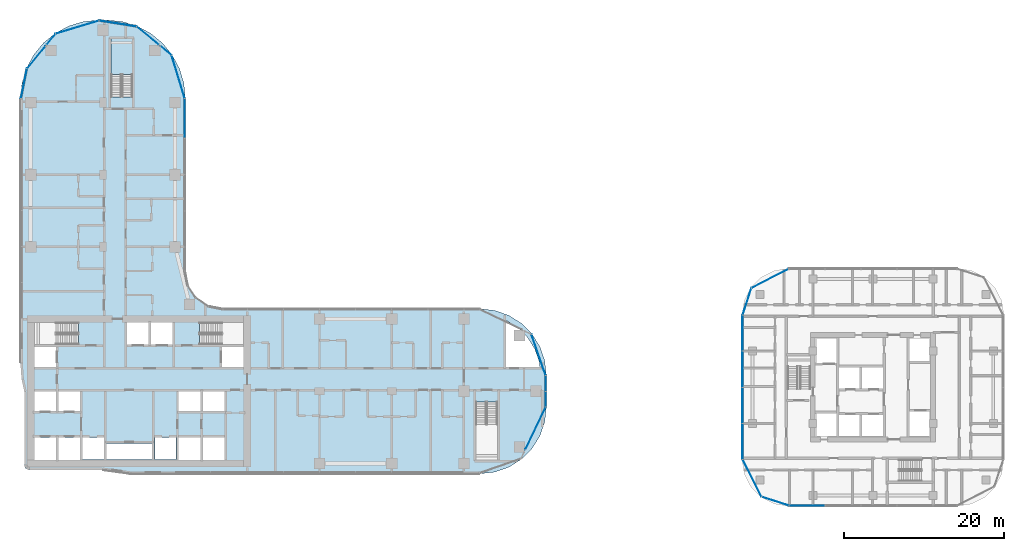
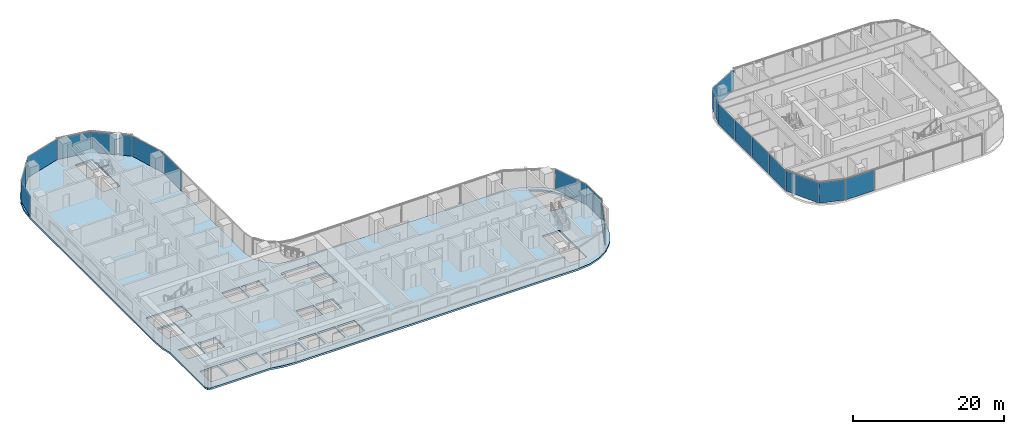
# One storey, part 16 of 36: 22 plates, 2 slabs, 12 elements without a shape of their own.
"""IFC4 building model written with IfcOpenShell, lengths in metres."""

import ifcopenshell
import ifcopenshell.guid

model = None  # the IFC model being written
_history = None  # IfcOwnerHistory: only IFC2X3 demands one
_inside = {}  # id of a spatial element -> (the spatial element, [elements in it])
_under = {}  # id of a project, library or spatial element -> (it, [spatial elements below it])
_declared = {}  # id of a project -> (the project, [libraries it declares])
_typed = {}  # id of a type object -> (the type object, [elements of that type])
_made_of = {}  # id of a material, layer set ... -> (it, [elements and type objects made of it])


def new_model(schema):
    """Start an empty IFC model of exactly this schema.

    Asked for "IFC4X3", IfcOpenShell would pick the latest addendum, in which some entities
    have other attributes; the version numbers below select the first issue.
    IFC2X3 requires an IfcOwnerHistory on every rooted entity: one is made here for all.
    """
    global model, _history
    if schema == "IFC4X3":
        model = ifcopenshell.file(schema_version=(4, 3, 0, 0))
    else:
        model = ifcopenshell.file(schema=schema)
    _inside.clear()
    _under.clear()
    _declared.clear()
    _typed.clear()
    _made_of.clear()
    _history = None
    if model.schema == "IFC2X3":
        org = make("IfcOrganization", Name="unknown")
        user = make(
            "IfcPersonAndOrganization",
            ThePerson=make("IfcPerson", FamilyName="unknown"),
            TheOrganization=org,
        )
        app = make(
            "IfcApplication",
            ApplicationDeveloper=org,
            Version="unknown",
            ApplicationFullName="unknown",
            ApplicationIdentifier="unknown",
        )
        _history = make(
            "IfcOwnerHistory",
            OwningUser=user,
            OwningApplication=app,
            ChangeAction="ADDED",
            CreationDate=0,
        )
    return model


def make(cls, **values):
    """One entity of the class cls with the attributes given. An attribute that is None is left unset."""
    return model.create_entity(
        cls, **{name: value for name, value in values.items() if value is not None}
    )


def rooted(cls, **values):
    """An entity with a GlobalId (a new one), such as an element, a storey or a relation."""
    return make(cls, GlobalId=ifcopenshell.guid.new(), OwnerHistory=_history, **values)


def si_unit(unit_type, name, prefix=None):
    """IfcSIUnit, for example si_unit("LENGTHUNIT", "METRE", prefix="MILLI")."""
    return make("IfcSIUnit", UnitType=unit_type, Prefix=prefix, Name=name)


def assignment(units):
    """IfcUnitAssignment: the units of a project."""
    return None if units is None else make("IfcUnitAssignment", Units=units)


def point(xyz):
    """IfcCartesianPoint."""
    return None if xyz is None else make("IfcCartesianPoint", Coordinates=xyz)


def direction(xyz):
    """IfcDirection."""
    return None if xyz is None else make("IfcDirection", DirectionRatios=xyz)


def frame(location, z_axis=None, x_axis=None):
    """IfcAxis2Placement3D, a coordinate frame: its origin and axes. An axis left out is left unset."""
    return make(
        "IfcAxis2Placement3D",
        Location=point(location),
        Axis=direction(z_axis),
        RefDirection=direction(x_axis),
    )


def frame_2d(location, x_axis=None):
    """IfcAxis2Placement2D, a coordinate frame in the plane: its origin and x axis."""
    return make(
        "IfcAxis2Placement2D", Location=point(location), RefDirection=direction(x_axis)
    )


def origin():
    """The frame at (0, 0, 0) with its axes left unset."""
    return frame((0.0, 0.0, 0.0))


def origin_2d():
    """The frame at (0, 0) in the plane with its x axis left unset."""
    return frame_2d((0.0, 0.0))


def place(relative_to, where):
    """IfcLocalPlacement: puts the frame where relative to a parent placement (None: the world)."""
    return make(
        "IfcLocalPlacement", PlacementRelTo=relative_to, RelativePlacement=where
    )


def context(
    kind, dimensions, precision=None, world=None, true_north=None, identifier=None
):
    """IfcGeometricRepresentationContext, for example the 3D "Model" context."""
    return make(
        "IfcGeometricRepresentationContext",
        ContextIdentifier=identifier,
        ContextType=kind,
        CoordinateSpaceDimension=dimensions,
        Precision=precision,
        WorldCoordinateSystem=world,
        TrueNorth=true_north,
    )


def subcontext(parent, identifier, kind, view, scale=None):
    """IfcGeometricRepresentationSubContext, for example "Body" below "Model"."""
    return make(
        "IfcGeometricRepresentationSubContext",
        ContextIdentifier=identifier,
        ContextType=kind,
        ParentContext=parent,
        TargetScale=scale,
        TargetView=view,
    )


def project(units=None, contexts=None):
    """IfcProject with its units and contexts."""
    return rooted(
        "IfcProject",
        Name="project",
        RepresentationContexts=contexts,
        UnitsInContext=assignment(units),
    )


def spatial(cls, under=None, at=None, **own):
    """A site, building, storey or space (cls), placed at a placement, below another one or the project."""
    s = rooted(cls, ObjectPlacement=at, **own)
    if under is not None:
        _under.setdefault(under.id(), (under, []))[1].append(s)
    return s


def polyline(points):
    """IfcPolyline through the points."""
    return make("IfcPolyline", Points=[point(p) for p in points])


def profile(cls, at=None, kind="AREA", **sizes):
    """A parametric profile (cls). Its sizes go by their IFC names, for example OverallWidth=200.0."""
    return make(cls, ProfileType=kind, Position=at, **sizes)


def rectangle(**sizes):
    """IfcRectangleProfileDef."""
    return profile("IfcRectangleProfileDef", **sizes)


def outline(outer, holes=None, kind="AREA"):
    """IfcArbitraryClosedProfileDef: a profile drawn as a closed curve; with holes, ...WithVoids."""
    if holes is None:
        return make("IfcArbitraryClosedProfileDef", ProfileType=kind, OuterCurve=outer)
    return make(
        "IfcArbitraryProfileDefWithVoids",
        ProfileType=kind,
        OuterCurve=outer,
        InnerCurves=holes,
    )


def extrude(swept, where, along, depth):
    """IfcExtrudedAreaSolid: the profile swept, set in the frame where, extruded along a direction by depth."""
    return make(
        "IfcExtrudedAreaSolid",
        SweptArea=swept,
        Position=where,
        ExtrudedDirection=direction(along),
        Depth=depth,
    )


def shape(context_of_items, identifier, shape_type, items):
    """IfcShapeRepresentation: the items that make up one representation, for example the "Body"."""
    return make(
        "IfcShapeRepresentation",
        ContextOfItems=context_of_items,
        RepresentationIdentifier=identifier,
        RepresentationType=shape_type,
        Items=items,
    )


def material(Name=None, Category=None):
    """IfcMaterial."""
    return make("IfcMaterial", Name=Name, Category=Category)


def layer(
    of_material, thickness, ventilated=None, Name=None, Category=None, Priority=None
):
    """IfcMaterialLayer: one layer of a wall or slab, of a material (None: an air gap)."""
    return make(
        "IfcMaterialLayer",
        Material=of_material,
        LayerThickness=thickness,
        IsVentilated=ventilated,
        Name=Name,
        Category=Category,
        Priority=Priority,
    )


def layer_set(layers, Name=None):
    """IfcMaterialLayerSet."""
    return make("IfcMaterialLayerSet", MaterialLayers=layers, LayerSetName=Name)


def made_of(thing, what):
    """Note that an element or type object is made of a material, layer set ...; save() writes the relation."""
    if what is not None:
        _made_of.setdefault(what.id(), (what, []))[1].append(thing)
    return thing


def type_object(cls, material=None, **own):
    """A type object (cls), such as IfcWallType, which elements share."""
    return made_of(rooted(cls, **own), material)


def element(
    cls,
    number,
    at=None,
    inside=None,
    cuts=None,
    type_object=None,
    material=None,
    context=None,
    identifier="Body",
    shape_type=None,
    held_by="IfcProductDefinitionShape",
    body=None,
    shapes=None,
    **own,
):
    """One element of the class cls, such as IfcWall. Its Tag is "e" and its number.

    at: its placement. inside: the storey or other place that contains it. cuts: it is an
    opening in that element (IfcRelVoidsElement). A single representation is given by context,
    identifier, shape_type and body (its items); several are given by shapes. held_by: the class
    of the entity that holds the representations. save() writes the other relations.
    """
    e = rooted(cls, Tag="e%d" % number, ObjectPlacement=at, **own)
    if body is not None:
        shapes = [shape(context, identifier, shape_type, body)]
    if shapes is not None:
        e.Representation = make(held_by, Representations=shapes)
    if inside is not None:
        _inside.setdefault(inside.id(), (inside, []))[1].append(e)
    if cuts is not None:
        rooted(
            "IfcRelVoidsElement", RelatingBuildingElement=cuts, RelatedOpeningElement=e
        )
    if type_object is not None:
        _typed.setdefault(type_object.id(), (type_object, []))[1].append(e)
    return made_of(e, material)


def aggregate(whole, parts):
    """IfcRelAggregates: a whole, such as a stair, and the parts it consists of."""
    return rooted("IfcRelAggregates", RelatingObject=whole, RelatedObjects=parts)


def save(model, path):
    """Write the relations noted so far, then the file.

    IfcRelAggregates (storeys below a building ...), IfcRelContainedInSpatialStructure (elements
    in a storey), IfcRelDefinesByType, IfcRelAssociatesMaterial and IfcRelDeclares: one each for
    every whole, place, type object, material and project.
    """
    for whole, parts in _under.values():
        aggregate(whole, parts)
    for where, things in _inside.values():
        rooted(
            "IfcRelContainedInSpatialStructure",
            RelatedElements=things,
            RelatingStructure=where,
        )
    for kind, things in _typed.values():
        rooted("IfcRelDefinesByType", RelatedObjects=things, RelatingType=kind)
    for what, things in _made_of.values():
        rooted("IfcRelAssociatesMaterial", RelatedObjects=things, RelatingMaterial=what)
    for by, libraries in _declared.values():
        rooted("IfcRelDeclares", RelatingContext=by, RelatedDefinitions=libraries)
    model.write(path)


model = new_model("IFC4")

# Units and contexts
model_context = context("Model", 3, precision=1e-05, world=origin(), true_north=direction((0.0, 1.0)))
body_context = subcontext(model_context, "Body", "Model", "MODEL_VIEW")
ifc_project = project(units=[si_unit("LENGTHUNIT", "METRE"), si_unit("AREAUNIT", "SQUARE_METRE"), si_unit("VOLUMEUNIT", "CUBIC_METRE"), si_unit("PLANEANGLEUNIT", "RADIAN"), si_unit("MASSUNIT", "GRAM", prefix="KILO")], contexts=[model_context])

# Site, building, storey
site_placement = place(None, origin())
site = spatial("IfcSite", under=ifc_project, at=site_placement, CompositionType="ELEMENT")
building_placement = place(site_placement, origin())
building = spatial("IfcBuilding", under=site, at=building_placement, Name="Ogive Portal Towers", CompositionType="ELEMENT")
storey_placement = place(building_placement, frame((0.0, 0.0, 48.300048828125)))
storey = spatial("IfcBuildingStorey", under=building, at=storey_placement, Name="L10", CompositionType="ELEMENT", Elevation=48.300048828125)

# Curtain wall, plates
ifc_material_1 = material(Name="Glass, clear low-iron insulated glazing", Category="glass")
curtain_wall_type_1 = type_object("IfcCurtainWallType", Name="CW FRONT RIBBON 4500", PredefinedType="NOTDEFINED", material=ifc_material_1)
curtain_wall_1_placement = place(storey_placement, origin())
curtain_wall_1 = element("IfcCurtainWall", 1, at=curtain_wall_1_placement, inside=storey, type_object=curtain_wall_type_1, Name="A:L10:f08:cw0", PredefinedType="NOTDEFINED")
ifc_layer_1 = layer(ifc_material_1, 0.028076171875)
ifc_layer_set_1 = layer_set([ifc_layer_1], Name="CW PANEL IGU 28")
plate_type = type_object("IfcPlateType", Name="CW PANEL IGU 28", PredefinedType="CURTAIN_PANEL", material=ifc_layer_set_1)
plate_1_placement = place(storey_placement, frame((95.705078125, 29.509033203125, 0.0), z_axis=(0.0, 0.0, 1.0), x_axis=(0.0, 1.0, 0.0)))
plate_1 = element("IfcPlate", 2, at=plate_1_placement, type_object=plate_type, Name="panel", PredefinedType="CURTAIN_PANEL", context=body_context, shape_type="SweptSolid", body=[
    extrude(rectangle(XDim=1.921630859375, YDim=0.028076171875, at=origin_2d()), origin(), (0.0, 0.0, 1.0), 3.340087890625),
])
plate_2_placement = place(storey_placement, frame((95.705078125, 31.4931640625, 0.0), z_axis=(0.0, 0.0, 1.0), x_axis=(0.0, 1.0, 0.0)))
plate_2 = element("IfcPlate", 3, at=plate_2_placement, type_object=plate_type, Name="panel", PredefinedType="CURTAIN_PANEL", context=body_context, shape_type="SweptSolid", body=[
    extrude(rectangle(XDim=1.926513671875, YDim=0.028076171875, at=origin_2d()), origin(), (0.0, 0.0, 1.0), 3.340087890625),
])
aggregate(curtain_wall_1, [plate_1, plate_2])

# Curtain wall, plate
curtain_wall_2_placement = place(storey_placement, origin())
curtain_wall_2 = element("IfcCurtainWall", 4, at=curtain_wall_2_placement, inside=storey, type_object=curtain_wall_type_1, Name="A:L10:f16:cw0", PredefinedType="NOTDEFINED")
plate_3_placement = place(storey_placement, frame((50.705078125, 64.494140625, 0.0), z_axis=(0.0, 0.0, 1.0), x_axis=(0.0, 1.0, 0.0)))
plate_3 = element("IfcPlate", 5, at=plate_3_placement, type_object=plate_type, Name="panel", PredefinedType="CURTAIN_PANEL", context=body_context, shape_type="SweptSolid", body=[
    extrude(rectangle(XDim=4.92822265625, YDim=0.028076171875, at=origin_2d()), origin(), (0.0, 0.0, 1.0), 3.340087890625),
])
aggregate(curtain_wall_2, [plate_3])

curtain_wall_3_placement = place(storey_placement, origin())
curtain_wall_3 = element("IfcCurtainWall", 6, at=curtain_wall_3_placement, inside=storey, type_object=curtain_wall_type_1, Name="A:L10:f06:cwa~1", PredefinedType="NOTDEFINED")
plate_4_placement = place(storey_placement, frame((94.427490234375, 25.865478515625, 0.0), z_axis=(0.0, 0.0, 1.0), x_axis=(0.433883739113, 0.900968867905, 0.0)))
plate_4 = element("IfcPlate", 7, at=plate_4_placement, type_object=plate_type, Name="panel", PredefinedType="CURTAIN_PANEL", context=body_context, shape_type="SweptSolid", body=[
    extrude(rectangle(XDim=5.82861328125, YDim=0.028076171875, at=origin_2d()), origin(), (0.0, 0.0, 1.0), 3.340087890625),
])
aggregate(curtain_wall_3, [plate_4])

curtain_wall_4_placement = place(storey_placement, origin())
curtain_wall_4 = element("IfcCurtainWall", 8, at=curtain_wall_4_placement, inside=storey, type_object=curtain_wall_type_1, Name="A:L10:f09:cwa~0", PredefinedType="NOTDEFINED")
plate_5_placement = place(storey_placement, frame((94.808837890625, 35.047119140625, 0.0), z_axis=(0.0, 0.0, 1.0), x_axis=(-0.33027906196, 0.943883330307, 0.0)))
plate_5 = element("IfcPlate", 9, at=plate_5_placement, type_object=plate_type, Name="panel", PredefinedType="CURTAIN_PANEL", context=body_context, shape_type="SweptSolid", body=[
    extrude(rectangle(XDim=5.365966796875, YDim=0.028076171875, at=origin_2d()), origin(), (0.0, 0.0, 1.0), 3.340087890625),
])
aggregate(curtain_wall_4, [plate_5])

# Curtain wall, plates
curtain_wall_5_placement = place(storey_placement, origin())
curtain_wall_5 = element("IfcCurtainWall", 10, at=curtain_wall_5_placement, inside=storey, type_object=curtain_wall_type_1, Name="A:L10:f17:cwa~0", PredefinedType="NOTDEFINED")
plate_6_placement = place(storey_placement, frame((49.8857421875, 69.68896484375, 0.0), z_axis=(0.0, 0.0, 1.0), x_axis=(-0.290284677254, 0.956940335732, 0.0)))
plate_6 = element("IfcPlate", 11, at=plate_6_placement, type_object=plate_type, Name="panel", PredefinedType="CURTAIN_PANEL", context=body_context, shape_type="SweptSolid", body=[
    extrude(rectangle(XDim=5.584716796875, YDim=0.028076171875, at=origin_2d()), origin(), (0.0, 0.0, 1.0), 3.340087890625),
])
plate_7_placement = place(storey_placement, frame((48.36962890625, 72.961669921875, 0.0), z_axis=(0.0, 0.0, 1.0), x_axis=(-0.773010453363, 0.634393284164, 0.0)))
plate_7 = element("IfcPlate", 12, at=plate_7_placement, type_object=plate_type, Name="panel", PredefinedType="CURTAIN_PANEL", context=body_context, shape_type="SweptSolid", body=[
    extrude(rectangle(XDim=1.74267578125, YDim=0.028076171875, at=origin_2d()), origin(), (0.0, 0.0, 1.0), 3.340087890625),
])
aggregate(curtain_wall_5, [plate_6, plate_7])

curtain_wall_6_placement = place(storey_placement, origin())
curtain_wall_6 = element("IfcCurtainWall", 13, at=curtain_wall_6_placement, inside=storey, type_object=curtain_wall_type_1, Name="A:L10:f17:cwa~1", PredefinedType="NOTDEFINED")
plate_8_placement = place(storey_placement, frame((46.106689453125, 74.81884765625, 0.0), z_axis=(0.0, 0.0, 1.0), x_axis=(-0.773010453363, 0.634393284164, 0.0)))
plate_8 = element("IfcPlate", 14, at=plate_8_placement, type_object=plate_type, Name="panel", PredefinedType="CURTAIN_PANEL", context=body_context, shape_type="SweptSolid", body=[
    extrude(rectangle(XDim=3.552001953125, YDim=0.028076171875, at=origin_2d()), origin(), (0.0, 0.0, 1.0), 3.340087890625),
])
plate_9_placement = place(storey_placement, frame((42.358154296875, 76.333740234375, 0.0), z_axis=(0.0, 0.0, 1.0), x_axis=(-0.987900568675, 0.15508857602, 0.0)))
plate_9 = element("IfcPlate", 15, at=plate_9_placement, type_object=plate_type, Name="panel", PredefinedType="CURTAIN_PANEL", context=body_context, shape_type="SweptSolid", body=[
    extrude(rectangle(XDim=4.70263671875, YDim=0.028076171875, at=origin_2d()), origin(), (0.0, 0.0, 1.0), 3.340087890625),
])
plate_10_placement = place(storey_placement, frame((37.307861328125, 75.884765625, 0.0), z_axis=(0.0, 0.0, 1.0), x_axis=(-0.956940335732, -0.290284677254, 0.0)))
plate_10 = element("IfcPlate", 16, at=plate_10_placement, type_object=plate_type, Name="panel", PredefinedType="CURTAIN_PANEL", context=body_context, shape_type="SweptSolid", body=[
    extrude(rectangle(XDim=5.578369140625, YDim=0.028076171875, at=origin_2d()), origin(), (0.0, 0.0, 1.0), 3.340087890625),
])
plate_11_placement = place(storey_placement, frame((34.038330078125, 74.36962890625, 0.0), z_axis=(0.0, 0.0, 1.0), x_axis=(-0.634393284164, -0.773010453363, 0.0)))
plate_11 = element("IfcPlate", 17, at=plate_11_placement, type_object=plate_type, Name="panel", PredefinedType="CURTAIN_PANEL", context=body_context, shape_type="SweptSolid", body=[
    extrude(rectangle(XDim=1.74267578125, YDim=0.028076171875, at=origin_2d()), origin(), (0.0, 0.0, 1.0), 3.340087890625),
])
aggregate(curtain_wall_6, [plate_8, plate_9, plate_10, plate_11])

curtain_wall_7_placement = place(storey_placement, origin())
curtain_wall_7 = element("IfcCurtainWall", 18, at=curtain_wall_7_placement, inside=storey, type_object=curtain_wall_type_1, Name="A:L10:f17:cwa~2", PredefinedType="NOTDEFINED")
plate_12_placement = place(storey_placement, frame((32.1806640625, 72.10595703125, 0.0), z_axis=(0.0, 0.0, 1.0), x_axis=(-0.634393284164, -0.773010453363, 0.0)))
plate_12 = element("IfcPlate", 19, at=plate_12_placement, type_object=plate_type, Name="panel", PredefinedType="CURTAIN_PANEL", context=body_context, shape_type="SweptSolid", body=[
    extrude(rectangle(XDim=3.553955078125, YDim=0.028076171875, at=origin_2d()), origin(), (0.0, 0.0, 1.0), 3.340087890625),
])
plate_13_placement = place(storey_placement, frame((30.664794921875, 68.850830078125, 0.0), z_axis=(0.0, 0.0, 1.0), x_axis=(-0.195090322016, -0.980785280403, 0.0)))
plate_13 = element("IfcPlate", 20, at=plate_13_placement, type_object=plate_type, Name="panel", PredefinedType="CURTAIN_PANEL", context=body_context, shape_type="SweptSolid", body=[
    extrude(rectangle(XDim=3.72998046875, YDim=0.028076171875, at=origin_2d()), origin(), (0.0, 0.0, 1.0), 3.340087890625),
])
aggregate(curtain_wall_7, [plate_12, plate_13])

# Curtain wall, plate
curtain_wall_type_2 = type_object("IfcCurtainWallType", Name="CW RESIDENCES RIBBON", PredefinedType="NOTDEFINED", material=ifc_material_1)
curtain_wall_8_placement = place(storey_placement, origin())
curtain_wall_8 = element("IfcCurtainWall", 21, at=curtain_wall_8_placement, inside=storey, type_object=curtain_wall_type_2, Name="B:L10:f02:cw0", PredefinedType="NOTDEFINED")
plate_14_placement = place(storey_placement, frame((128.25634765625, 16.2451171875, 0.0), z_axis=(0.0, 0.0, 1.0), x_axis=(1.0, 0.0, 0.0)))
plate_14 = element("IfcPlate", 22, at=plate_14_placement, type_object=plate_type, Name="panel", PredefinedType="CURTAIN_PANEL", context=body_context, shape_type="SweptSolid", body=[
    extrude(rectangle(XDim=4.42724609375, YDim=0.028076171875, at=origin_2d()), origin(), (0.0, 0.0, 1.0), 3.340087890625),
])
aggregate(curtain_wall_8, [plate_14])

# Curtain wall, plates
curtain_wall_9_placement = place(storey_placement, origin())
curtain_wall_9 = element("IfcCurtainWall", 23, at=curtain_wall_9_placement, inside=storey, type_object=curtain_wall_type_2, Name="B:L10:f11:cw0", PredefinedType="NOTDEFINED")
plate_15_placement = place(storey_placement, frame((120.2451171875, 37.74365234375, 0.0), z_axis=(0.0, 0.0, 1.0), x_axis=(0.0, -1.0, 0.0)))
plate_15 = element("IfcPlate", 24, at=plate_15_placement, type_object=plate_type, Name="panel", PredefinedType="CURTAIN_PANEL", context=body_context, shape_type="SweptSolid", body=[
    extrude(rectangle(XDim=4.42724609375, YDim=0.028076171875, at=origin_2d()), origin(), (0.0, 0.0, 1.0), 3.340087890625),
])
plate_16_placement = place(storey_placement, frame((120.2451171875, 33.25, 0.0), z_axis=(0.0, 0.0, 1.0), x_axis=(0.0, -1.0, 0.0)))
plate_16 = element("IfcPlate", 25, at=plate_16_placement, type_object=plate_type, Name="panel", PredefinedType="CURTAIN_PANEL", context=body_context, shape_type="SweptSolid", body=[
    extrude(rectangle(XDim=4.43994140625, YDim=0.028076171875, at=origin_2d()), origin(), (0.0, 0.0, 1.0), 3.340087890625),
])
plate_17_placement = place(storey_placement, frame((120.2451171875, 28.75, 0.0), z_axis=(0.0, 0.0, 1.0), x_axis=(0.0, -1.0, 0.0)))
plate_17 = element("IfcPlate", 26, at=plate_17_placement, type_object=plate_type, Name="panel", PredefinedType="CURTAIN_PANEL", context=body_context, shape_type="SweptSolid", body=[
    extrude(rectangle(XDim=4.43994140625, YDim=0.028076171875, at=origin_2d()), origin(), (0.0, 0.0, 1.0), 3.340087890625),
])
plate_18_placement = place(storey_placement, frame((120.2451171875, 24.259521484375, 0.0), z_axis=(0.0, 0.0, 1.0), x_axis=(0.0, -1.0, 0.0)))
plate_18 = element("IfcPlate", 27, at=plate_18_placement, type_object=plate_type, Name="panel", PredefinedType="CURTAIN_PANEL", context=body_context, shape_type="SweptSolid", body=[
    extrude(rectangle(XDim=4.4208984375, YDim=0.028076171875, at=origin_2d()), origin(), (0.0, 0.0, 1.0), 3.340087890625),
])
aggregate(curtain_wall_9, [plate_15, plate_16, plate_17, plate_18])

curtain_wall_10_placement = place(storey_placement, origin())
curtain_wall_10 = element("IfcCurtainWall", 28, at=curtain_wall_10_placement, inside=storey, type_object=curtain_wall_type_2, Name="B:L10:f00:cwa", PredefinedType="NOTDEFINED")
plate_19_placement = place(storey_placement, frame((121.435791015625, 19.68212890625, 0.0), z_axis=(0.0, 0.0, 1.0), x_axis=(0.45399049974, -0.891006524188, 0.0)))
plate_19 = element("IfcPlate", 29, at=plate_19_placement, type_object=plate_type, Name="panel", PredefinedType="CURTAIN_PANEL", context=body_context, shape_type="SweptSolid", body=[
    extrude(rectangle(XDim=5.185791015625, YDim=0.028076171875, at=origin_2d()), origin(), (0.0, 0.0, 1.0), 3.340087890625),
])
plate_20_placement = place(storey_placement, frame((124.319580078125, 16.795166015625, 0.0), z_axis=(0.0, 0.0, 1.0), x_axis=(0.951056516295, -0.309016994375, 0.0)))
plate_20 = element("IfcPlate", 30, at=plate_20_placement, type_object=plate_type, Name="panel", PredefinedType="CURTAIN_PANEL", context=body_context, shape_type="SweptSolid", body=[
    extrude(rectangle(XDim=3.50048828125, YDim=0.028076171875, at=origin_2d()), origin(), (0.0, 0.0, 1.0), 3.340087890625),
])
aggregate(curtain_wall_10, [plate_19, plate_20])

curtain_wall_11_placement = place(storey_placement, origin())
curtain_wall_11 = element("IfcCurtainWall", 31, at=curtain_wall_11_placement, inside=storey, type_object=curtain_wall_type_2, Name="B:L10:f09:cwa", PredefinedType="NOTDEFINED")
plate_21_placement = place(storey_placement, frame((123.68212890625, 44.564208984375, 0.0), z_axis=(0.0, 0.0, 1.0), x_axis=(-0.891006524188, -0.45399049974, 0.0)))
plate_21 = element("IfcPlate", 32, at=plate_21_placement, type_object=plate_type, Name="panel", PredefinedType="CURTAIN_PANEL", context=body_context, shape_type="SweptSolid", body=[
    extrude(rectangle(XDim=5.185791015625, YDim=0.028076171875, at=origin_2d()), origin(), (0.0, 0.0, 1.0), 3.340087890625),
])
plate_22_placement = place(storey_placement, frame((120.795166015625, 41.680419921875, 0.0), z_axis=(0.0, 0.0, 1.0), x_axis=(-0.309016994375, -0.951056516295, 0.0)))
plate_22 = element("IfcPlate", 33, at=plate_22_placement, type_object=plate_type, Name="panel", PredefinedType="CURTAIN_PANEL", context=body_context, shape_type="SweptSolid", body=[
    extrude(rectangle(XDim=3.50048828125, YDim=0.028076171875, at=origin_2d()), origin(), (0.0, 0.0, 1.0), 3.340087890625),
])
aggregate(curtain_wall_11, [plate_21, plate_22])

# Stair, slab
ifc_material_2 = material(Name="Concrete C40/50", Category="concrete")
stair_type = type_object("IfcStairType", Name="INT-STAIR", PredefinedType="HALF_TURN_STAIR", material=ifc_material_2)
stair_placement = place(storey_placement, origin())
stair = element("IfcStair", 34, at=stair_placement, inside=storey, type_object=stair_type, Name="L10 Exit Stair ST-A3", PredefinedType="HALF_TURN_STAIR")
ifc_layer_2 = layer(ifc_material_2, 0.199951171875)
ifc_layer_set_2 = layer_set([ifc_layer_2], Name="INT-LANDING")
slab_type_1 = type_object("IfcSlabType", Name="INT-LANDING", PredefinedType="LANDING", material=ifc_layer_set_2)
slab_1_placement = place(storey_placement, frame((0.0, 0.0, 1.64990234375)))
slab_1 = element("IfcSlab", 35, at=slab_1_placement, type_object=slab_type_1, Name="ST-A3 landing 1", PredefinedType="LANDING", context=body_context, shape_type="SweptSolid", body=[
    extrude(outline(polyline([(44.199951171875, 70.0), (44.199951171875, 74.449951171875), (41.5, 74.449951171875), (41.5, 70.0), (44.199951171875, 70.0)])), origin(), (0.0, 0.0, 1.0), 0.199951171875),
])
aggregate(stair, [slab_1])

# Slab
ifc_material_3 = material(Name="Concrete C45/55", Category="concrete")
ifc_layer_3 = layer(ifc_material_3, 0.300048828125)
ifc_layer_set_3 = layer_set([ifc_layer_3], Name="PT FLAT PLATE 300")
slab_type_2 = type_object("IfcSlabType", Name="PT FLAT PLATE 300", PredefinedType="FLOOR", material=ifc_layer_set_3)
slab_2_placement = place(storey_placement, frame((0.0, 0.0, -0.300048828125)))
element("IfcSlab", 36, at=slab_2_placement, inside=storey, type_object=slab_type_2, Name="Floor slab L10", PredefinedType="FLOOR", context=body_context, shape_type="SweptSolid", body=[
    extrude(outline(polyline([(30.215087890625, 34.0), (30.355224609375, 32.0380859375), (30.699951171875, 30.45361328125), (30.699951171875, 21.300048828125), (30.875732421875, 20.875732421875), (31.300048828125, 20.699951171875), (40.45361328125, 20.699951171875), (42.0380859375, 20.355224609375), (44.0, 20.215087890625), (87.5, 20.215087890625), (89.343505859375, 20.422607421875), (91.0947265625, 21.035400390625), (92.66552734375, 22.0224609375), (93.9775390625, 23.33447265625), (94.964599609375, 24.9052734375), (95.577392578125, 26.656494140625), (95.784912109375, 28.5), (95.784912109375, 32.5), (95.577392578125, 34.343505859375), (94.964599609375, 36.0947265625), (93.9775390625, 37.66552734375), (92.66552734375, 38.9775390625), (91.0947265625, 39.964599609375), (89.343505859375, 40.577392578125), (87.5, 40.784912109375), (55.5, 40.784912109375), (53.695556640625, 41.143798828125), (52.166015625, 42.166015625), (51.143798828125, 43.695556640625), (50.784912109375, 45.5), (50.784912109375, 67.0), (50.596923828125, 68.908935546875), (50.040283203125, 70.74462890625), (49.135986328125, 72.436279296875), (47.9189453125, 73.9189453125), (46.436279296875, 75.135986328125), (44.74462890625, 76.040283203125), (42.908935546875, 76.596923828125), (41.0, 76.784912109375), (40.0, 76.784912109375), (38.091064453125, 76.596923828125), (36.25537109375, 76.040283203125), (34.563720703125, 75.135986328125), (33.0810546875, 73.9189453125), (31.864013671875, 72.436279296875), (30.959716796875, 70.74462890625), (30.403076171875, 68.908935546875), (30.215087890625, 67.0), (30.215087890625, 34.0)]), holes=[polyline([(46.6298828125, 21.969970703125), (40.969970703125, 21.969970703125), (40.969970703125, 24.0029296875), (46.6298828125, 24.0029296875), (46.6298828125, 21.969970703125)]), polyline([(34.64990234375, 24.75), (34.64990234375, 21.949951171875), (31.949951171875, 21.949951171875), (31.949951171875, 24.75), (34.64990234375, 24.75)]), polyline([(37.64990234375, 24.75), (37.64990234375, 21.949951171875), (34.949951171875, 21.949951171875), (34.949951171875, 24.75), (37.64990234375, 24.75)]), polyline([(37.969970703125, 21.969970703125), (37.969970703125, 24.72998046875), (40.6298828125, 24.72998046875), (40.6298828125, 21.969970703125), (37.969970703125, 21.969970703125)]), polyline([(34.64990234375, 28.050048828125), (31.949951171875, 28.050048828125), (31.949951171875, 30.5), (34.64990234375, 30.5), (34.64990234375, 28.050048828125)]), polyline([(37.64990234375, 30.5), (37.64990234375, 28.050048828125), (34.949951171875, 28.050048828125), (34.949951171875, 30.5), (37.64990234375, 30.5)]), polyline([(34.64990234375, 33.5), (31.949951171875, 33.5), (31.949951171875, 36.050048828125), (34.64990234375, 36.050048828125), (34.64990234375, 33.5)]), polyline([(37.447998046875, 39.048095703125), (37.447998046875, 36.35205078125), (31.951904296875, 36.35205078125), (31.951904296875, 39.048095703125), (37.447998046875, 39.048095703125)]), polyline([(46.199951171875, 39.050048828125), (46.199951171875, 36.35009765625), (43.5, 36.35009765625), (43.5, 39.050048828125), (46.199951171875, 39.050048828125)]), polyline([(49.199951171875, 36.35009765625), (46.5, 36.35009765625), (46.5, 39.050048828125), (49.199951171875, 39.050048828125), (49.199951171875, 36.35009765625)]), polyline([(44.197998046875, 67.201904296875), (41.501953125, 67.201904296875), (41.501953125, 74.447998046875), (44.197998046875, 74.447998046875), (44.197998046875, 67.201904296875)]), polyline([(49.6298828125, 21.969970703125), (46.969970703125, 21.969970703125), (46.969970703125, 24.72998046875), (49.6298828125, 24.72998046875), (49.6298828125, 21.969970703125)]), polyline([(52.64990234375, 24.75), (52.64990234375, 21.949951171875), (49.949951171875, 21.949951171875), (49.949951171875, 24.75), (52.64990234375, 24.75)]), polyline([(55.64990234375, 21.949951171875), (52.949951171875, 21.949951171875), (52.949951171875, 24.75), (55.64990234375, 24.75), (55.64990234375, 21.949951171875)]), polyline([(87.001953125, 29.16796875), (89.697998046875, 29.16796875), (89.697998046875, 21.951904296875), (87.001953125, 21.951904296875), (87.001953125, 29.16796875)]), polyline([(52.64990234375, 30.5), (52.64990234375, 28.050048828125), (49.949951171875, 28.050048828125), (49.949951171875, 30.5), (52.64990234375, 30.5)]), polyline([(55.64990234375, 28.050048828125), (52.949951171875, 28.050048828125), (52.949951171875, 30.5), (55.64990234375, 30.5), (55.64990234375, 28.050048828125)]), polyline([(58.050048828125, 36.050048828125), (58.050048828125, 33.5), (55.35009765625, 33.5), (55.35009765625, 36.050048828125), (58.050048828125, 36.050048828125)]), polyline([(94.329833984375, 35.7890625), (94.890380859375, 34.186767578125), (94.965576171875, 33.52001953125), (90.77001953125, 33.52001953125), (90.77001953125, 39.33642578125), (90.7890625, 39.329833984375), (92.226318359375, 38.4267578125), (93.4267578125, 37.226318359375), (94.329833984375, 35.7890625)]), polyline([(52.552001953125, 36.35205078125), (52.552001953125, 39.048095703125), (58.048095703125, 39.048095703125), (58.048095703125, 36.35205078125), (52.552001953125, 36.35205078125)])]), origin(), (0.0, 0.0, 1.0), 0.300048828125),
])

save(model, "model.ifc")
